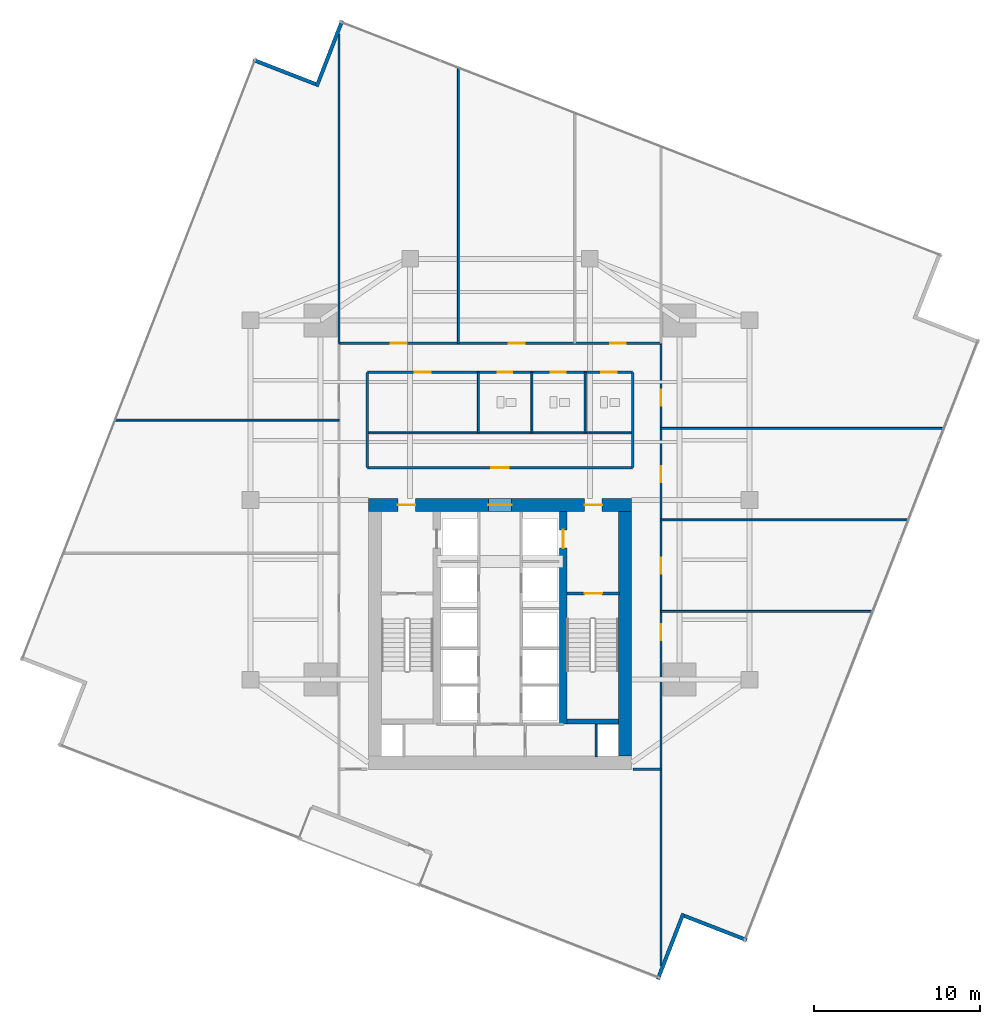
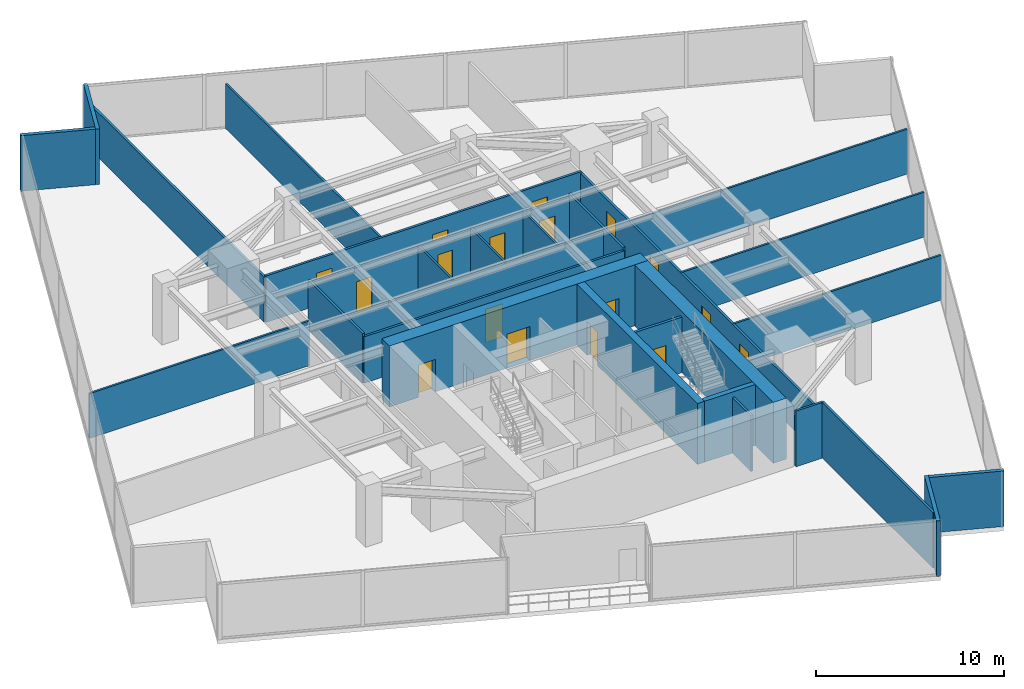
# One storey, part 23 of 26: 28 walls, 17 doors, 17 openings.
"""IFC4 building model written with IfcOpenShell, lengths in metres."""

from ifc_helpers import new_model, si_unit, direction, frame, frame_2d, origin, place, context, subcontext, project, spatial, rectangle, extrude, material, layer, layer_set, type_object, element, fill, save


model = new_model("IFC4")

# Units and contexts
model_context = context("Model", 3, precision=1e-05, world=origin(), true_north=direction((0.0, 1.0)))
body_context = subcontext(model_context, "Body", "Model", "MODEL_VIEW")
ifc_project = project(units=[si_unit("LENGTHUNIT", "METRE"), si_unit("AREAUNIT", "SQUARE_METRE"), si_unit("VOLUMEUNIT", "CUBIC_METRE"), si_unit("PLANEANGLEUNIT", "RADIAN"), si_unit("MASSUNIT", "GRAM", prefix="KILO")], contexts=[model_context])

# Site, building, storey
site_placement = place(None, origin())
site = spatial("IfcSite", under=ifc_project, at=site_placement, CompositionType="ELEMENT")
building_placement = place(site_placement, origin())
building = spatial("IfcBuilding", under=site, at=building_placement, Name="Krantzveldt Concourse Tower", CompositionType="ELEMENT")
storey_placement = place(building_placement, frame((0.0, 0.0, 137.449951171875)))
storey = spatial("IfcBuildingStorey", under=building, at=storey_placement, Name="L33", CompositionType="ELEMENT", Elevation=137.449951171875)

# Walls
ifc_material_1 = material(Name="Anodised aluminium 6063-T6", Category="aluminium")
ifc_layer_1 = layer(ifc_material_1, 0.219970703125, Name="Anodised aluminium 6063-T6", Category="aluminium")
ifc_layer_set_1 = layer_set([ifc_layer_1], Name="Anodised aluminium 6063-T6 (WL-EXT-NOTCH220)")
wall_type_1 = type_object("IfcWallType", Name="WL-EXT-NOTCH220", PredefinedType="ELEMENTEDWALL", material=ifc_layer_set_1)
wall_1_placement = place(storey_placement, frame((24.910400390625, 51.709716796875, 0.0), z_axis=(0.0, 0.0, 1.0), x_axis=(-0.932010363197, 0.362431625129, 0.0)))
element("IfcWall", 1, at=wall_1_placement, inside=storey, type_object=wall_type_1, Name="EW-L33-NCH00", PredefinedType="ELEMENTEDWALL", context=body_context, shape_type="SweptSolid", body=[
    extrude(rectangle(XDim=4.02490234375, YDim=0.219970703125, at=frame_2d((2.012451171875, 0.0))), origin(), (0.0, 0.0, 1.0), 3.60009765625),
])
wall_2_placement = place(storey_placement, frame((45.48828125, -2.123779296875, 0.0), z_axis=(0.0, 0.0, 1.0), x_axis=(0.362429609335, 0.932011147078, 0.0)))
element("IfcWall", 2, at=wall_2_placement, inside=storey, type_object=wall_type_1, Name="EW-L33-NCH09", PredefinedType="ELEMENTEDWALL", context=body_context, shape_type="SweptSolid", body=[
    extrude(rectangle(XDim=4.2451171875, YDim=0.219970703125, at=frame_2d((2.12255859375, 0.0))), origin(), (0.0, 0.0, 1.0), 3.60009765625),
])
wall_3_placement = place(storey_placement, frame((47.089599609375, 1.690185546875, 0.0), z_axis=(0.0, 0.0, 1.0), x_axis=(0.932010363197, -0.362431625129, 0.0)))
element("IfcWall", 3, at=wall_3_placement, inside=storey, type_object=wall_type_1, Name="EW-L33-NCH10", PredefinedType="ELEMENTEDWALL", context=body_context, shape_type="SweptSolid", body=[
    extrude(rectangle(XDim=4.02490234375, YDim=0.219970703125, at=frame_2d((2.012451171875, 0.0))), origin(), (0.0, 0.0, 1.0), 3.60009765625),
])
wall_4_placement = place(storey_placement, frame((26.51171875, 55.523681640625, 0.0), z_axis=(0.0, 0.0, 1.0), x_axis=(-0.362449036596, -0.932003592198, 0.0)))
element("IfcWall", 4, at=wall_4_placement, inside=storey, type_object=wall_type_1, Name="EW-L33-NCH15", PredefinedType="ELEMENTEDWALL", context=body_context, shape_type="SweptSolid", body=[
    extrude(rectangle(XDim=4.244873046875, YDim=0.219970703125, at=frame_2d((2.12255859375, 0.0))), origin(), (0.0, 0.0, 1.0), 3.60009765625),
])
ifc_material_2 = material(Name="Fire-rated gypsum plasterboard on steel stud", Category="steel")
ifc_layer_2 = layer(ifc_material_2, 0.1201171875, Name="Fire-rated gypsum plasterboard on steel stud", Category="steel")
ifc_layer_set_2 = layer_set([ifc_layer_2], Name="Fire-rated gypsum plasterboard on steel stud (WL-PART-120)")
wall_type_2 = type_object("IfcWallType", Name="WL-PART-120", PredefinedType="PARTITIONING", material=ifc_layer_set_2)
wall_5_placement = place(storey_placement, frame((28.02001953125, 30.739990234375, 0.0), z_axis=(0.0, 0.0, 1.0), x_axis=(1.0, 0.0, 0.0)))
element("IfcWall", 5, at=wall_5_placement, inside=storey, type_object=wall_type_2, Name="WP-L33-ISLM", PredefinedType="PARTITIONING", context=body_context, shape_type="SweptSolid", body=[
    extrude(rectangle(XDim=15.9599609375, YDim=0.1201171875, at=frame_2d((7.97998046875, 0.0))), origin(), (0.0, 0.0, 1.0), 3.010009765625),
])
for number, where, z_axis, x_axis, name in (
    (6, (37.919921875, 30.739990234375, 0.0), (0.0, 0.0, 1.0), (0.0, 1.0, 0.0), "WP-L33-WCD1"),
    (7, (41.1201171875, 30.739990234375, 0.0), (0.0, 0.0, 1.0), (0.0, 1.0, 0.0), "WP-L33-WCD2"),
    (8, (34.699951171875, 30.739990234375, 0.0), (0.0, 0.0, 1.0), (0.0, 1.0, 0.0), "WP-L33-WCD3"),
):
    element("IfcWall", number, at=place(storey_placement, frame(where, z_axis=z_axis, x_axis=x_axis)), inside=storey, type_object=wall_type_2, Name=name, PredefinedType="PARTITIONING", context=body_context, shape_type="SweptSolid", body=[
        extrude(rectangle(XDim=3.639892578125, YDim=0.1201171875, at=frame_2d((1.81982421875, 0.0))), origin(), (0.0, 0.0, 1.0), 3.10009765625),
    ])
wall_6_placement = place(storey_placement, frame((33.5, 36.1201171875, 0.0), z_axis=(0.0, 0.0, 1.0), x_axis=(0.0, 1.0, 0.0)))
element("IfcWall", 9, at=wall_6_placement, inside=storey, type_object=wall_type_2, Name="WP-L33-ND1", PredefinedType="PARTITIONING", context=body_context, shape_type="SweptSolid", body=[
    extrude(rectangle(XDim=16.5625, YDim=0.1201171875, at=frame_2d((8.28125, 0.0))), origin(), (0.0, 0.0, 1.0), 2.900146484375),
])
wall_7_placement = place(storey_placement, frame((12.856201171875, 31.5, 0.0), z_axis=(0.0, 0.0, 1.0), x_axis=(1.0, 0.0, 0.0)))
element("IfcWall", 10, at=wall_7_placement, inside=storey, type_object=wall_type_2, Name="WP-L33-WD2", PredefinedType="PARTITIONING", context=body_context, shape_type="SweptSolid", body=[
    extrude(rectangle(XDim=13.4638671875, YDim=0.1201171875, at=frame_2d((6.73193359375, 0.0))), origin(), (0.0, 0.0, 1.0), 2.900146484375),
])
wall_8_placement = place(storey_placement, frame((45.679931640625, 20.0, 0.0), z_axis=(0.0, 0.0, 1.0), x_axis=(1.0, 0.0, 0.0)))
element("IfcWall", 11, at=wall_8_placement, inside=storey, type_object=wall_type_2, Name="WP-L33-ED1", PredefinedType="PARTITIONING", context=body_context, shape_type="SweptSolid", body=[
    extrude(rectangle(XDim=12.72509765625, YDim=0.1201171875, at=frame_2d((6.362548828125, 0.0))), origin(), (0.0, 0.0, 1.0), 2.900146484375),
])
wall_9_placement = place(storey_placement, frame((45.679931640625, 25.5, 0.0), z_axis=(0.0, 0.0, 1.0), x_axis=(1.0, 0.0, 0.0)))
element("IfcWall", 12, at=wall_9_placement, inside=storey, type_object=wall_type_2, Name="WP-L33-ED2", PredefinedType="PARTITIONING", context=body_context, shape_type="SweptSolid", body=[
    extrude(rectangle(XDim=14.864013671875, YDim=0.1201171875, at=frame_2d((7.43212890625, 0.0))), origin(), (0.0, 0.0, 1.0), 2.900146484375),
])
wall_10_placement = place(storey_placement, frame((45.679931640625, 31.0, 0.0), z_axis=(0.0, 0.0, 1.0), x_axis=(1.0, 0.0, 0.0)))
element("IfcWall", 13, at=wall_10_placement, inside=storey, type_object=wall_type_2, Name="WP-L33-ED3", PredefinedType="PARTITIONING", context=body_context, shape_type="SweptSolid", body=[
    extrude(rectangle(XDim=17.002685546875, YDim=0.1201171875, at=frame_2d((8.50146484375, 0.0))), origin(), (0.0, 0.0, 1.0), 2.900146484375),
])

# Wall, opening, door
ifc_layer_3 = layer(ifc_material_2, 0.139892578125, Name="Fire-rated gypsum plasterboard on steel stud", Category="steel")
ifc_layer_set_3 = layer_set([ifc_layer_3], Name="Fire-rated gypsum plasterboard on steel stud (WL-PART-140)")
wall_type_3 = type_object("IfcWallType", Name="WL-PART-140", PredefinedType="PARTITIONING", material=ifc_layer_set_3)
wall_11_placement = place(storey_placement, frame((28.02001953125, 28.639892578125, 0.0), z_axis=(0.0, 0.0, 1.0), x_axis=(1.0, 0.0, 0.0)))
wall_11 = element("IfcWall", 14, at=wall_11_placement, inside=storey, type_object=wall_type_3, Name="WP-L33-ISLS", PredefinedType="PARTITIONING", context=body_context, shape_type="SweptSolid", body=[
    extrude(rectangle(XDim=15.9599609375, YDim=0.139892578125, at=frame_2d((7.97998046875, 0.0))), origin(), (0.0, 0.0, 1.0), 3.010009765625),
])
opening_1_placement = place(wall_11_placement, frame((7.455078125, 0.0, 0.0)))
opening_1 = element("IfcOpeningElement", 15, at=opening_1_placement, cuts=wall_11, Name="Opening D-IN105", PredefinedType="OPENING", context=body_context, shape_type="SweptSolid", body=[
    extrude(rectangle(XDim=1.050048828125, YDim=2.14990234375, at=frame_2d((0.52490234375, 1.074951171875))), frame((0.0, 0.080078125, 0.0), z_axis=(0.0, -1.0, 0.0), x_axis=(1.0, 0.0, 0.0)), (0.0, 0.0, 1.0), 0.159912109375),
])
ifc_material_3 = material(Name="Hardwood timber", Category="wood")
door_type_1 = type_object("IfcDoorType", Name="DR-INT-1050", OperationType="SINGLE_SWING_LEFT", PredefinedType="DOOR", material=ifc_material_3)
door_1_placement = place(opening_1_placement, origin())
door_1 = element("IfcDoor", 16, at=door_1_placement, inside=storey, type_object=door_type_1, Name="DR-L33-MIDB", OperationType="SINGLE_SWING_LEFT", OverallHeight=2.14990234375, OverallWidth=1.050048828125, PredefinedType="DOOR", context=body_context, shape_type="SweptSolid", body=[
    extrude(rectangle(XDim=1.050048828125, YDim=2.14990234375, at=frame_2d((0.52490234375, 1.074951171875))), frame((0.0, 0.02490234375, 0.0), z_axis=(0.0, -1.0, 0.0), x_axis=(1.0, 0.0, 0.0)), (0.0, 0.0, 1.0), 0.050048828125),
])
fill(opening_1, door_1)

# Wall, openings, doors
wall_12_placement = place(storey_placement, frame((28.02001953125, 34.3798828125, 0.0), z_axis=(0.0, 0.0, 1.0), x_axis=(1.0, 0.0, 0.0)))
wall_12 = element("IfcWall", 17, at=wall_12_placement, inside=storey, type_object=wall_type_3, Name="WP-L33-ISLN", PredefinedType="PARTITIONING", context=body_context, shape_type="SweptSolid", body=[
    extrude(rectangle(XDim=15.9599609375, YDim=0.139892578125, at=frame_2d((7.97998046875, 0.0))), origin(), (0.0, 0.0, 1.0), 3.010009765625),
])
opening_2_placement = place(wall_12_placement, frame((7.830078125, 0.0, 0.0)))
opening_2 = element("IfcOpeningElement", 18, at=opening_2_placement, cuts=wall_12, Name="Opening D-IN090", PredefinedType="OPENING", context=body_context, shape_type="SweptSolid", body=[
    extrude(rectangle(XDim=0.89990234375, YDim=2.10009765625, at=frame_2d((0.449951171875, 1.050048828125))), frame((0.0, 0.080078125, 0.0), z_axis=(0.0, -1.0, 0.0), x_axis=(1.0, 0.0, 0.0)), (0.0, 0.0, 1.0), 0.159912109375),
])
opening_3_placement = place(wall_12_placement, frame((11.030029296875, 0.0, 0.0)))
opening_3 = element("IfcOpeningElement", 19, at=opening_3_placement, cuts=wall_12, Name="Opening D-IN090", PredefinedType="OPENING", context=body_context, shape_type="SweptSolid", body=[
    extrude(rectangle(XDim=0.89990234375, YDim=2.10009765625, at=frame_2d((0.449951171875, 1.050048828125))), frame((0.0, 0.080078125, 0.0), z_axis=(0.0, -1.0, 0.0), x_axis=(1.0, 0.0, 0.0)), (0.0, 0.0, 1.0), 0.159912109375),
])
opening_4_placement = place(wall_12_placement, frame((14.054931640625, 0.0, 0.0)))
opening_4 = element("IfcOpeningElement", 20, at=opening_4_placement, cuts=wall_12, Name="Opening D-IN095", PredefinedType="OPENING", context=body_context, shape_type="SweptSolid", body=[
    extrude(rectangle(XDim=0.949951171875, YDim=2.10009765625, at=frame_2d((0.47509765625, 1.050048828125))), frame((0.0, 0.080078125, 0.0), z_axis=(0.0, -1.0, 0.0), x_axis=(1.0, 0.0, 0.0)), (0.0, 0.0, 1.0), 0.159912109375),
])
opening_5_placement = place(wall_12_placement, frame((2.85498046875, 0.0, 0.0)))
opening_5 = element("IfcOpeningElement", 21, at=opening_5_placement, cuts=wall_12, Name="Opening D-IN095", PredefinedType="OPENING", context=body_context, shape_type="SweptSolid", body=[
    extrude(rectangle(XDim=0.949951171875, YDim=2.10009765625, at=frame_2d((0.47509765625, 1.050048828125))), frame((0.0, 0.080078125, 0.0), z_axis=(0.0, -1.0, 0.0), x_axis=(1.0, 0.0, 0.0)), (0.0, 0.0, 1.0), 0.159912109375),
])
door_type_2 = type_object("IfcDoorType", Name="DR-INT-900", OperationType="SINGLE_SWING_LEFT", PredefinedType="DOOR", material=ifc_material_3)
door_2_placement = place(opening_2_placement, origin())
door_2 = element("IfcDoor", 22, at=door_2_placement, inside=storey, type_object=door_type_2, Name="DR-L33-WCM", OperationType="SINGLE_SWING_LEFT", OverallHeight=2.10009765625, OverallWidth=0.89990234375, PredefinedType="DOOR", context=body_context, shape_type="SweptSolid", body=[
    extrude(rectangle(XDim=0.89990234375, YDim=2.10009765625, at=frame_2d((0.449951171875, 1.050048828125))), frame((0.0, 0.02490234375, 0.0), z_axis=(0.0, -1.0, 0.0), x_axis=(1.0, 0.0, 0.0)), (0.0, 0.0, 1.0), 0.050048828125),
])
fill(opening_2, door_2)
door_3_placement = place(opening_3_placement, origin())
door_3 = element("IfcDoor", 23, at=door_3_placement, inside=storey, type_object=door_type_2, Name="DR-L33-WCF", OperationType="SINGLE_SWING_RIGHT", OverallHeight=2.10009765625, OverallWidth=0.89990234375, PredefinedType="DOOR", context=body_context, shape_type="SweptSolid", body=[
    extrude(rectangle(XDim=0.89990234375, YDim=2.10009765625, at=frame_2d((0.449951171875, 1.050048828125))), frame((0.0, 0.02490234375, 0.0), z_axis=(0.0, -1.0, 0.0), x_axis=(1.0, 0.0, 0.0)), (0.0, 0.0, 1.0), 0.050048828125),
])
fill(opening_3, door_3)
door_type_3 = type_object("IfcDoorType", Name="DR-INT-950", OperationType="SINGLE_SWING_LEFT", PredefinedType="DOOR", material=ifc_material_3)
door_4_placement = place(opening_4_placement, origin())
door_4 = element("IfcDoor", 24, at=door_4_placement, inside=storey, type_object=door_type_3, Name="DR-L33-WCA", OperationType="SINGLE_SWING_LEFT", OverallHeight=2.10009765625, OverallWidth=0.949951171875, PredefinedType="DOOR", context=body_context, shape_type="SweptSolid", body=[
    extrude(rectangle(XDim=0.949951171875, YDim=2.10009765625, at=frame_2d((0.47509765625, 1.050048828125))), frame((0.0, 0.02490234375, 0.0), z_axis=(0.0, -1.0, 0.0), x_axis=(1.0, 0.0, 0.0)), (0.0, 0.0, 1.0), 0.050048828125),
])
fill(opening_4, door_4)
door_5_placement = place(opening_5_placement, origin())
door_5 = element("IfcDoor", 25, at=door_5_placement, inside=storey, type_object=door_type_3, Name="DR-L33-PNT", OperationType="SINGLE_SWING_RIGHT", OverallHeight=2.10009765625, OverallWidth=0.949951171875, PredefinedType="DOOR", context=body_context, shape_type="SweptSolid", body=[
    extrude(rectangle(XDim=0.949951171875, YDim=2.10009765625, at=frame_2d((0.47509765625, 1.050048828125))), frame((0.0, 0.02490234375, 0.0), z_axis=(0.0, -1.0, 0.0), x_axis=(1.0, 0.0, 0.0)), (0.0, 0.0, 1.0), 0.050048828125),
])
fill(opening_5, door_5)

# Walls
for number, where, z_axis, x_axis, name in (
    (26, (28.02001953125, 28.639892578125, 0.0), (0.0, 0.0, 1.0), (0.0, 1.0, 0.0), "WP-L33-ISLW"),
    (27, (43.97998046875, 28.639892578125, 0.0), (0.0, 0.0, 1.0), (0.0, 1.0, 0.0), "WP-L33-ISLE"),
):
    element("IfcWall", number, at=place(storey_placement, frame(where, z_axis=z_axis, x_axis=x_axis)), inside=storey, type_object=wall_type_3, Name=name, PredefinedType="PARTITIONING", context=body_context, shape_type="SweptSolid", body=[
        extrude(rectangle(XDim=5.739990234375, YDim=0.139892578125, at=frame_2d((2.8701171875, 0.0))), origin(), (0.0, 0.0, 1.0), 3.199951171875),
    ])

# Wall, openings, doors
wall_13_placement = place(storey_placement, frame((26.320068359375, 36.1201171875, 0.0), z_axis=(0.0, 0.0, 1.0), x_axis=(1.0, 0.0, 0.0)))
wall_13 = element("IfcWall", 28, at=wall_13_placement, inside=storey, type_object=wall_type_3, Name="WP-L33-CTOP", PredefinedType="PARTITIONING", context=body_context, shape_type="SweptSolid", body=[
    extrude(rectangle(XDim=19.35986328125, YDim=0.139892578125, at=frame_2d((9.679931640625, 0.0))), origin(), (0.0, 0.0, 1.0), 3.010009765625),
])
opening_6_placement = place(wall_13_placement, frame((3.114990234375, 0.0, 0.0)))
opening_6 = element("IfcOpeningElement", 29, at=opening_6_placement, cuts=wall_13, Name="Opening D-IN095", PredefinedType="OPENING", context=body_context, shape_type="SweptSolid", body=[
    extrude(rectangle(XDim=0.949951171875, YDim=2.10009765625, at=frame_2d((0.47509765625, 1.050048828125))), frame((0.0, 0.080078125, 0.0), z_axis=(0.0, -1.0, 0.0), x_axis=(1.0, 0.0, 0.0)), (0.0, 0.0, 1.0), 0.159912109375),
])
opening_7_placement = place(wall_13_placement, frame((10.205078125, 0.0, 0.0)))
opening_7 = element("IfcOpeningElement", 30, at=opening_7_placement, cuts=wall_13, Name="Opening D-IN095", PredefinedType="OPENING", context=body_context, shape_type="SweptSolid", body=[
    extrude(rectangle(XDim=0.949951171875, YDim=2.10009765625, at=frame_2d((0.47509765625, 1.050048828125))), frame((0.0, 0.080078125, 0.0), z_axis=(0.0, -1.0, 0.0), x_axis=(1.0, 0.0, 0.0)), (0.0, 0.0, 1.0), 0.159912109375),
])
opening_8_placement = place(wall_13_placement, frame((16.294921875, 0.0, 0.0)))
opening_8 = element("IfcOpeningElement", 31, at=opening_8_placement, cuts=wall_13, Name="Opening D-IN095", PredefinedType="OPENING", context=body_context, shape_type="SweptSolid", body=[
    extrude(rectangle(XDim=0.949951171875, YDim=2.10009765625, at=frame_2d((0.47509765625, 1.050048828125))), frame((0.0, 0.080078125, 0.0), z_axis=(0.0, -1.0, 0.0), x_axis=(1.0, 0.0, 0.0)), (0.0, 0.0, 1.0), 0.159912109375),
])
door_6_placement = place(opening_6_placement, origin())
door_6 = element("IfcDoor", 32, at=door_6_placement, inside=storey, type_object=door_type_3, Name="DR-L33-NR1", OperationType="SINGLE_SWING_LEFT", OverallHeight=2.10009765625, OverallWidth=0.949951171875, PredefinedType="DOOR", context=body_context, shape_type="SweptSolid", body=[
    extrude(rectangle(XDim=0.949951171875, YDim=2.10009765625, at=frame_2d((0.47509765625, 1.050048828125))), frame((0.0, 0.02490234375, 0.0), z_axis=(0.0, -1.0, 0.0), x_axis=(1.0, 0.0, 0.0)), (0.0, 0.0, 1.0), 0.050048828125),
])
fill(opening_6, door_6)
door_7_placement = place(opening_7_placement, origin())
door_7 = element("IfcDoor", 33, at=door_7_placement, inside=storey, type_object=door_type_3, Name="DR-L33-NR2", OperationType="SINGLE_SWING_LEFT", OverallHeight=2.10009765625, OverallWidth=0.949951171875, PredefinedType="DOOR", context=body_context, shape_type="SweptSolid", body=[
    extrude(rectangle(XDim=0.949951171875, YDim=2.10009765625, at=frame_2d((0.47509765625, 1.050048828125))), frame((0.0, 0.02490234375, 0.0), z_axis=(0.0, -1.0, 0.0), x_axis=(1.0, 0.0, 0.0)), (0.0, 0.0, 1.0), 0.050048828125),
])
fill(opening_7, door_7)
door_8_placement = place(opening_8_placement, origin())
door_8 = element("IfcDoor", 34, at=door_8_placement, inside=storey, type_object=door_type_3, Name="DR-L33-NR3", OperationType="SINGLE_SWING_LEFT", OverallHeight=2.10009765625, OverallWidth=0.949951171875, PredefinedType="DOOR", context=body_context, shape_type="SweptSolid", body=[
    extrude(rectangle(XDim=0.949951171875, YDim=2.10009765625, at=frame_2d((0.47509765625, 1.050048828125))), frame((0.0, 0.02490234375, 0.0), z_axis=(0.0, -1.0, 0.0), x_axis=(1.0, 0.0, 0.0)), (0.0, 0.0, 1.0), 0.050048828125),
])
fill(opening_8, door_8)

wall_14_placement = place(storey_placement, frame((45.679931640625, 10.5, 0.0), z_axis=(0.0, 0.0, 1.0), x_axis=(0.0, 1.0, 0.0)))
wall_14 = element("IfcWall", 35, at=wall_14_placement, inside=storey, type_object=wall_type_3, Name="WP-L33-CEAST", PredefinedType="PARTITIONING", context=body_context, shape_type="SweptSolid", body=[
    extrude(rectangle(XDim=25.6201171875, YDim=0.139892578125, at=frame_2d((12.81005859375, 0.0))), origin(), (0.0, 0.0, 1.0), 2.900146484375),
])
opening_9_placement = place(wall_14_placement, frame((7.77490234375, 0.0, 0.0)))
opening_9 = element("IfcOpeningElement", 36, at=opening_9_placement, cuts=wall_14, Name="Opening D-IN095", PredefinedType="OPENING", context=body_context, shape_type="SweptSolid", body=[
    extrude(rectangle(XDim=0.949951171875, YDim=2.10009765625, at=frame_2d((0.47509765625, 1.050048828125))), frame((0.0, 0.080078125, 0.0), z_axis=(0.0, -1.0, 0.0), x_axis=(1.0, 0.0, 0.0)), (0.0, 0.0, 1.0), 0.159912109375),
])
opening_10_placement = place(wall_14_placement, frame((11.77490234375, 0.0, 0.0)))
opening_10 = element("IfcOpeningElement", 37, at=opening_10_placement, cuts=wall_14, Name="Opening D-IN095", PredefinedType="OPENING", context=body_context, shape_type="SweptSolid", body=[
    extrude(rectangle(XDim=0.949951171875, YDim=2.10009765625, at=frame_2d((0.47509765625, 1.050048828125))), frame((0.0, 0.080078125, 0.0), z_axis=(0.0, -1.0, 0.0), x_axis=(1.0, 0.0, 0.0)), (0.0, 0.0, 1.0), 0.159912109375),
])
opening_11_placement = place(wall_14_placement, frame((17.27490234375, 0.0, 0.0)))
opening_11 = element("IfcOpeningElement", 38, at=opening_11_placement, cuts=wall_14, Name="Opening D-IN095", PredefinedType="OPENING", context=body_context, shape_type="SweptSolid", body=[
    extrude(rectangle(XDim=0.949951171875, YDim=2.10009765625, at=frame_2d((0.47509765625, 1.050048828125))), frame((0.0, 0.080078125, 0.0), z_axis=(0.0, -1.0, 0.0), x_axis=(1.0, 0.0, 0.0)), (0.0, 0.0, 1.0), 0.159912109375),
])
opening_12_placement = place(wall_14_placement, frame((21.875, 0.0, 0.0)))
opening_12 = element("IfcOpeningElement", 39, at=opening_12_placement, cuts=wall_14, Name="Opening D-IN095", PredefinedType="OPENING", context=body_context, shape_type="SweptSolid", body=[
    extrude(rectangle(XDim=0.949951171875, YDim=2.10009765625, at=frame_2d((0.47509765625, 1.050048828125))), frame((0.0, 0.080078125, 0.0), z_axis=(0.0, -1.0, 0.0), x_axis=(1.0, 0.0, 0.0)), (0.0, 0.0, 1.0), 0.159912109375),
])
door_9_placement = place(opening_9_placement, origin())
door_9 = element("IfcDoor", 40, at=door_9_placement, inside=storey, type_object=door_type_3, Name="DR-L33-ER1", OperationType="SINGLE_SWING_LEFT", OverallHeight=2.10009765625, OverallWidth=0.949951171875, PredefinedType="DOOR", context=body_context, shape_type="SweptSolid", body=[
    extrude(rectangle(XDim=0.949951171875, YDim=2.10009765625, at=frame_2d((0.47509765625, 1.050048828125))), frame((0.0, 0.02490234375, 0.0), z_axis=(0.0, -1.0, 0.0), x_axis=(1.0, 0.0, 0.0)), (0.0, 0.0, 1.0), 0.050048828125),
])
fill(opening_9, door_9)
door_10_placement = place(opening_10_placement, origin())
door_10 = element("IfcDoor", 41, at=door_10_placement, inside=storey, type_object=door_type_3, Name="DR-L33-ER2", OperationType="SINGLE_SWING_LEFT", OverallHeight=2.10009765625, OverallWidth=0.949951171875, PredefinedType="DOOR", context=body_context, shape_type="SweptSolid", body=[
    extrude(rectangle(XDim=0.949951171875, YDim=2.10009765625, at=frame_2d((0.47509765625, 1.050048828125))), frame((0.0, 0.02490234375, 0.0), z_axis=(0.0, -1.0, 0.0), x_axis=(1.0, 0.0, 0.0)), (0.0, 0.0, 1.0), 0.050048828125),
])
fill(opening_10, door_10)
door_11_placement = place(opening_11_placement, origin())
door_11 = element("IfcDoor", 42, at=door_11_placement, inside=storey, type_object=door_type_3, Name="DR-L33-ER3", OperationType="SINGLE_SWING_LEFT", OverallHeight=2.10009765625, OverallWidth=0.949951171875, PredefinedType="DOOR", context=body_context, shape_type="SweptSolid", body=[
    extrude(rectangle(XDim=0.949951171875, YDim=2.10009765625, at=frame_2d((0.47509765625, 1.050048828125))), frame((0.0, 0.02490234375, 0.0), z_axis=(0.0, -1.0, 0.0), x_axis=(1.0, 0.0, 0.0)), (0.0, 0.0, 1.0), 0.050048828125),
])
fill(opening_11, door_11)
door_12_placement = place(opening_12_placement, origin())
door_12 = element("IfcDoor", 43, at=door_12_placement, inside=storey, type_object=door_type_3, Name="DR-L33-ER4", OperationType="SINGLE_SWING_LEFT", OverallHeight=2.10009765625, OverallWidth=0.949951171875, PredefinedType="DOOR", context=body_context, shape_type="SweptSolid", body=[
    extrude(rectangle(XDim=0.949951171875, YDim=2.10009765625, at=frame_2d((0.47509765625, 1.050048828125))), frame((0.0, 0.02490234375, 0.0), z_axis=(0.0, -1.0, 0.0), x_axis=(1.0, 0.0, 0.0)), (0.0, 0.0, 1.0), 0.050048828125),
])
fill(opening_12, door_12)

# Walls
wall_15_placement = place(storey_placement, frame((44.0, 10.5, 0.0), z_axis=(0.0, 0.0, 1.0), x_axis=(1.0, 0.0, 0.0)))
element("IfcWall", 44, at=wall_15_placement, inside=storey, type_object=wall_type_3, Name="WP-L33-CEBOT", PredefinedType="PARTITIONING", context=body_context, shape_type="SweptSolid", body=[
    extrude(rectangle(XDim=1.679931640625, YDim=0.139892578125, at=frame_2d((0.83984375, 0.0))), origin(), (0.0, 0.0, 1.0), 3.60009765625),
])
wall_16_placement = place(storey_placement, frame((26.320068359375, 36.1201171875, 0.0), z_axis=(0.0, 0.0, 1.0), x_axis=(0.0, 1.0, 0.0)))
element("IfcWall", 45, at=wall_16_placement, inside=storey, type_object=wall_type_3, Name="WP-L33-NWL", PredefinedType="PARTITIONING", context=body_context, shape_type="SweptSolid", body=[
    extrude(rectangle(XDim=18.593505859375, YDim=0.139892578125, at=frame_2d((9.296875, 0.0))), origin(), (0.0, 0.0, 1.0), 2.900146484375),
])
wall_17_placement = place(storey_placement, frame((45.679931640625, -1.3134765625, 0.0), z_axis=(0.0, 0.0, 1.0), x_axis=(0.0, 1.0, 0.0)))
element("IfcWall", 46, at=wall_17_placement, inside=storey, type_object=wall_type_3, Name="WP-L33-SER", PredefinedType="PARTITIONING", context=body_context, shape_type="SweptSolid", body=[
    extrude(rectangle(XDim=11.8134765625, YDim=0.139892578125, at=frame_2d((5.90673828125, 0.0))), origin(), (0.0, 0.0, 1.0), 3.60009765625),
])
ifc_layer_4 = layer(ifc_material_2, 0.139892578125, Name="Fire-rated gypsum plasterboard on steel stud", Category="steel")
ifc_layer_set_4 = layer_set([ifc_layer_4], Name="Fire-rated gypsum plasterboard on steel stud (WL-PART-FR140)")
wall_type_4 = type_object("IfcWallType", Name="WL-PART-FR140", PredefinedType="PARTITIONING", material=ifc_layer_set_4)
wall_18_placement = place(storey_placement, frame((41.780029296875, 11.25, 0.0), z_axis=(0.0, 0.0, 1.0), x_axis=(0.0, 1.0, 0.0)))
element("IfcWall", 47, at=wall_18_placement, inside=storey, type_object=wall_type_4, Name="WP-L33-RSE", PredefinedType="PARTITIONING", context=body_context, shape_type="SweptSolid", body=[
    extrude(rectangle(XDim=1.969970703125, YDim=0.1201171875, at=frame_2d((0.98486328125, 0.0))), origin(), (0.0, 0.0, 1.0), 3.60009765625),
])

# Wall, opening, door
ifc_layer_5 = layer(ifc_material_2, 0.159912109375, Name="Fire-rated gypsum plasterboard on steel stud", Category="steel")
ifc_layer_set_5 = layer_set([ifc_layer_5], Name="Fire-rated gypsum plasterboard on steel stud (WL-PART-FR160)")
wall_type_5 = type_object("IfcWallType", Name="WL-PART-FR160", PredefinedType="PARTITIONING", material=ifc_layer_set_5)
wall_19_placement = place(storey_placement, frame((40.0400390625, 21.080078125, 0.0), z_axis=(0.0, 0.0, 1.0), x_axis=(1.0, 0.0, 0.0)))
wall_19 = element("IfcWall", 48, at=wall_19_placement, inside=storey, type_object=wall_type_5, Name="WP-L33-ST2", PredefinedType="PARTITIONING", context=body_context, shape_type="SweptSolid", body=[
    extrude(rectangle(XDim=3.159912109375, YDim=0.159912109375, at=frame_2d((1.580078125, 0.0))), origin(), (0.0, 0.0, 1.0), 3.60009765625),
])
opening_13_placement = place(wall_19_placement, frame((1.054931640625, 0.0, 0.0)))
opening_13 = element("IfcOpeningElement", 49, at=opening_13_placement, cuts=wall_19, Name="Opening D-FD105", PredefinedType="OPENING", context=body_context, shape_type="SweptSolid", body=[
    extrude(rectangle(XDim=1.050048828125, YDim=2.10009765625, at=frame_2d((0.52490234375, 1.050048828125))), frame((0.0, 0.08984375, 0.0), z_axis=(0.0, -1.0, 0.0), x_axis=(1.0, 0.0, 0.0)), (0.0, 0.0, 1.0), 0.179931640625),
])
ifc_material_4 = material(Name="Galvanised steel", Category="steel")
door_type_4 = type_object("IfcDoorType", Name="DR-FD120-1050", OperationType="SINGLE_SWING_LEFT", PredefinedType="DOOR", material=ifc_material_4)
door_13_placement = place(opening_13_placement, origin())
door_13 = element("IfcDoor", 50, at=door_13_placement, inside=storey, type_object=door_type_4, Name="DR-L33-ST2", OperationType="SINGLE_SWING_LEFT", OverallHeight=2.10009765625, OverallWidth=1.050048828125, PredefinedType="DOOR", context=body_context, shape_type="SweptSolid", body=[
    extrude(rectangle(XDim=1.050048828125, YDim=2.10009765625, at=frame_2d((0.52490234375, 1.050048828125))), frame((0.0, 0.02490234375, 0.0), z_axis=(0.0, -1.0, 0.0), x_axis=(1.0, 0.0, 0.0)), (0.0, 0.0, 1.0), 0.050048828125),
])
fill(opening_13, door_13)

# Wall
ifc_material_5 = material(Name="Concrete C50/60", Category="concrete")
ifc_layer_6 = layer(ifc_material_5, 0.300048828125, Name="Concrete C50/60", Category="concrete")
ifc_layer_set_6 = layer_set([ifc_layer_6], Name="Concrete C50/60 (WL-SHEAR-300)")
wall_type_6 = type_object("IfcWallType", Name="WL-SHEAR-300", PredefinedType="SHEAR", material=ifc_layer_set_6)
wall_20_placement = place(storey_placement, frame((40.02001953125, 13.3701171875, 0.0), z_axis=(0.0, 0.0, 1.0), x_axis=(1.0, 0.0, 0.0)))
element("IfcWall", 51, at=wall_20_placement, inside=storey, type_object=wall_type_6, Name="CW-L33-ST2S", PredefinedType="SHEAR", context=body_context, shape_type="SweptSolid", body=[
    extrude(rectangle(XDim=3.10009765625, YDim=0.300048828125, at=frame_2d((1.550048828125, 0.0))), origin(), (0.0, 0.0, 1.0), 3.949951171875),
])

# Wall, opening, door
ifc_layer_7 = layer(ifc_material_5, 0.449951171875, Name="Concrete C50/60", Category="concrete")
ifc_layer_set_7 = layer_set([ifc_layer_7], Name="Concrete C50/60 (WL-SHEAR-450)")
wall_type_7 = type_object("IfcWallType", Name="WL-SHEAR-450", PredefinedType="SHEAR", material=ifc_layer_set_7)
wall_21_placement = place(storey_placement, frame((39.794921875, 13.219970703125, 0.0), z_axis=(0.0, 0.0, 1.0), x_axis=(0.0, 1.0, 0.0)))
wall_21 = element("IfcWall", 52, at=wall_21_placement, inside=storey, type_object=wall_type_7, Name="CW-L33-IE", PredefinedType="SHEAR", context=body_context, shape_type="SweptSolid", body=[
    extrude(rectangle(XDim=12.780029296875, YDim=0.449951171875, at=frame_2d((6.39013671875, 0.0))), origin(), (0.0, 0.0, 1.0), 3.949951171875),
])
opening_14_placement = place(wall_21_placement, frame((10.580078125, 0.0, 0.0)))
opening_14 = element("IfcOpeningElement", 53, at=opening_14_placement, cuts=wall_21, Name="Opening LD", PredefinedType="OPENING", context=body_context, shape_type="SweptSolid", body=[
    extrude(rectangle(XDim=1.10009765625, YDim=2.14990234375, at=frame_2d((0.550048828125, 1.074951171875))), frame((0.0, 0.23486328125, 0.0), z_axis=(0.0, -1.0, 0.0), x_axis=(1.0, 0.0, 0.0)), (0.0, 0.0, 1.0), 0.469970703125),
])
ifc_material_6 = material(Name="Stainless steel 316L", Category="steel")
door_type_5 = type_object("IfcDoorType", Name="DR-SLIDE-LD1100", OperationType="DOUBLE_DOOR_SLIDING", PredefinedType="DOOR", material=ifc_material_6)
door_14_placement = place(opening_14_placement, origin())
door_14 = element("IfcDoor", 54, at=door_14_placement, inside=storey, type_object=door_type_5, Name="LD-L33-FL2", OperationType="DOUBLE_DOOR_SLIDING", OverallHeight=2.14990234375, OverallWidth=1.10009765625, PredefinedType="DOOR", context=body_context, shape_type="SweptSolid", body=[
    extrude(rectangle(XDim=1.10009765625, YDim=2.14990234375, at=frame_2d((0.550048828125, 1.074951171875))), frame((0.0, 0.02490234375, 0.0), z_axis=(0.0, -1.0, 0.0), x_axis=(1.0, 0.0, 0.0)), (0.0, 0.0, 1.0), 0.050048828125),
])
fill(opening_14, door_14)

# Wall, openings, doors
ifc_material_7 = material(Name="Concrete C60/75", Category="concrete")
ifc_layer_8 = layer(ifc_material_7, 0.800048828125, Name="Concrete C60/75", Category="concrete")
ifc_layer_set_8 = layer_set([ifc_layer_8], Name="Concrete C60/75 (WL-SHEAR-800)")
wall_type_8 = type_object("IfcWallType", Name="WL-SHEAR-800", PredefinedType="SHEAR", material=ifc_layer_set_8)
wall_22_placement = place(storey_placement, frame((28.080078125, 26.39990234375, 0.0), z_axis=(0.0, 0.0, 1.0), x_axis=(1.0, 0.0, 0.0)))
wall_22 = element("IfcWall", 55, at=wall_22_placement, inside=storey, type_object=wall_type_8, Name="CW-L33-N", PredefinedType="SHEAR", context=body_context, shape_type="SweptSolid", body=[
    extrude(rectangle(XDim=15.83984375, YDim=0.800048828125, at=frame_2d((7.919921875, 0.0))), origin(), (0.0, 0.0, 1.0), 3.949951171875),
])
opening_15_placement = place(wall_22_placement, frame((7.219970703125, 0.0, 0.0)))
opening_15 = element("IfcOpeningElement", 56, at=opening_15_placement, cuts=wall_22, Name="Opening D-DB140", PredefinedType="OPENING", context=body_context, shape_type="SweptSolid", body=[
    extrude(rectangle(XDim=1.39990234375, YDim=2.199951171875, at=frame_2d((0.699951171875, 1.10009765625))), frame((0.0, 0.41015625, 0.0), z_axis=(0.0, -1.0, 0.0), x_axis=(1.0, 0.0, 0.0)), (0.0, 0.0, 1.0), 0.820068359375),
])
opening_16_placement = place(wall_22_placement, frame((1.77490234375, 0.0, 0.0)))
opening_16 = element("IfcOpeningElement", 57, at=opening_16_placement, cuts=wall_22, Name="Opening D-FD105", PredefinedType="OPENING", context=body_context, shape_type="SweptSolid", body=[
    extrude(rectangle(XDim=1.050048828125, YDim=2.10009765625, at=frame_2d((0.52490234375, 1.050048828125))), frame((0.0, 0.41015625, 0.0), z_axis=(0.0, -1.0, 0.0), x_axis=(1.0, 0.0, 0.0)), (0.0, 0.0, 1.0), 0.820068359375),
])
opening_17_placement = place(wall_22_placement, frame((13.014892578125, 0.0, 0.0)))
opening_17 = element("IfcOpeningElement", 58, at=opening_17_placement, cuts=wall_22, Name="Opening D-FD105", PredefinedType="OPENING", context=body_context, shape_type="SweptSolid", body=[
    extrude(rectangle(XDim=1.050048828125, YDim=2.10009765625, at=frame_2d((0.52490234375, 1.050048828125))), frame((0.0, 0.41015625, 0.0), z_axis=(0.0, -1.0, 0.0), x_axis=(1.0, 0.0, 0.0)), (0.0, 0.0, 1.0), 0.820068359375),
])
door_type_6 = type_object("IfcDoorType", Name="DR-DBL-1400", OperationType="DOUBLE_DOOR_SINGLE_SWING", PredefinedType="DOOR", material=ifc_material_1)
door_15_placement = place(opening_15_placement, origin())
door_15 = element("IfcDoor", 59, at=door_15_placement, inside=storey, type_object=door_type_6, Name="DR-L33-LLB", OperationType="DOUBLE_DOOR_SINGLE_SWING", OverallHeight=2.199951171875, OverallWidth=1.39990234375, PredefinedType="DOOR", context=body_context, shape_type="SweptSolid", body=[
    extrude(rectangle(XDim=1.39990234375, YDim=2.199951171875, at=frame_2d((0.699951171875, 1.10009765625))), frame((0.0, 0.02490234375, 0.0), z_axis=(0.0, -1.0, 0.0), x_axis=(1.0, 0.0, 0.0)), (0.0, 0.0, 1.0), 0.050048828125),
])
fill(opening_15, door_15)
door_16_placement = place(opening_16_placement, origin())
door_16 = element("IfcDoor", 60, at=door_16_placement, inside=storey, type_object=door_type_4, Name="DR-L33-FFL1", OperationType="SINGLE_SWING_LEFT", OverallHeight=2.10009765625, OverallWidth=1.050048828125, PredefinedType="DOOR", context=body_context, shape_type="SweptSolid", body=[
    extrude(rectangle(XDim=1.050048828125, YDim=2.10009765625, at=frame_2d((0.52490234375, 1.050048828125))), frame((0.0, 0.02490234375, 0.0), z_axis=(0.0, -1.0, 0.0), x_axis=(1.0, 0.0, 0.0)), (0.0, 0.0, 1.0), 0.050048828125),
])
fill(opening_16, door_16)
door_17_placement = place(opening_17_placement, origin())
door_17 = element("IfcDoor", 61, at=door_17_placement, inside=storey, type_object=door_type_4, Name="DR-L33-FFL2", OperationType="SINGLE_SWING_RIGHT", OverallHeight=2.10009765625, OverallWidth=1.050048828125, PredefinedType="DOOR", context=body_context, shape_type="SweptSolid", body=[
    extrude(rectangle(XDim=1.050048828125, YDim=2.10009765625, at=frame_2d((0.52490234375, 1.050048828125))), frame((0.0, 0.02490234375, 0.0), z_axis=(0.0, -1.0, 0.0), x_axis=(1.0, 0.0, 0.0)), (0.0, 0.0, 1.0), 0.050048828125),
])
fill(opening_17, door_17)

# Wall
wall_23_placement = place(storey_placement, frame((43.52001953125, 11.300048828125, 0.0), z_axis=(0.0, 0.0, 1.0), x_axis=(0.0, 1.0, 0.0)))
element("IfcWall", 62, at=wall_23_placement, inside=storey, type_object=wall_type_8, Name="CW-L33-E", PredefinedType="SHEAR", context=body_context, shape_type="SweptSolid", body=[
    extrude(rectangle(XDim=14.699951171875, YDim=0.800048828125, at=frame_2d((7.35009765625, 0.0))), origin(), (0.0, 0.0, 1.0), 3.949951171875),
])

save(model, "model.ifc")
